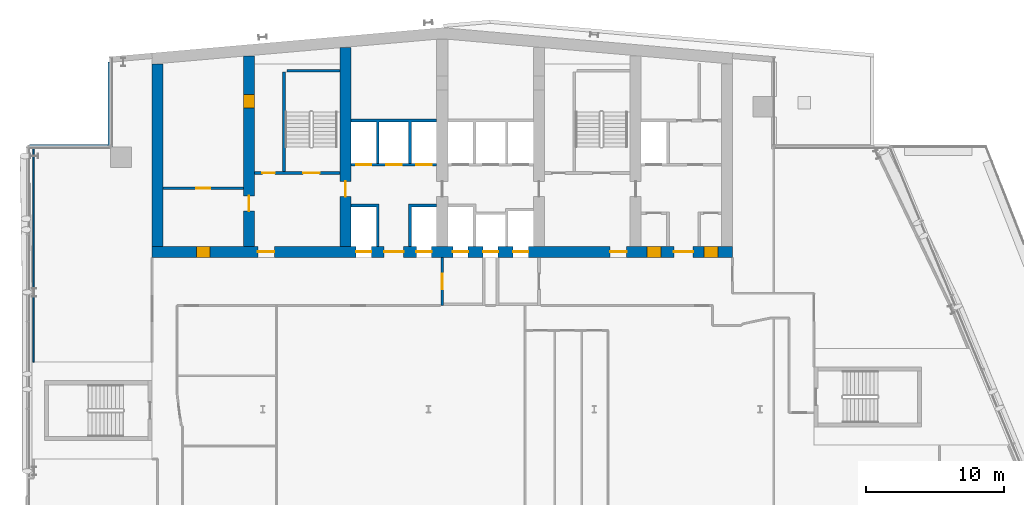
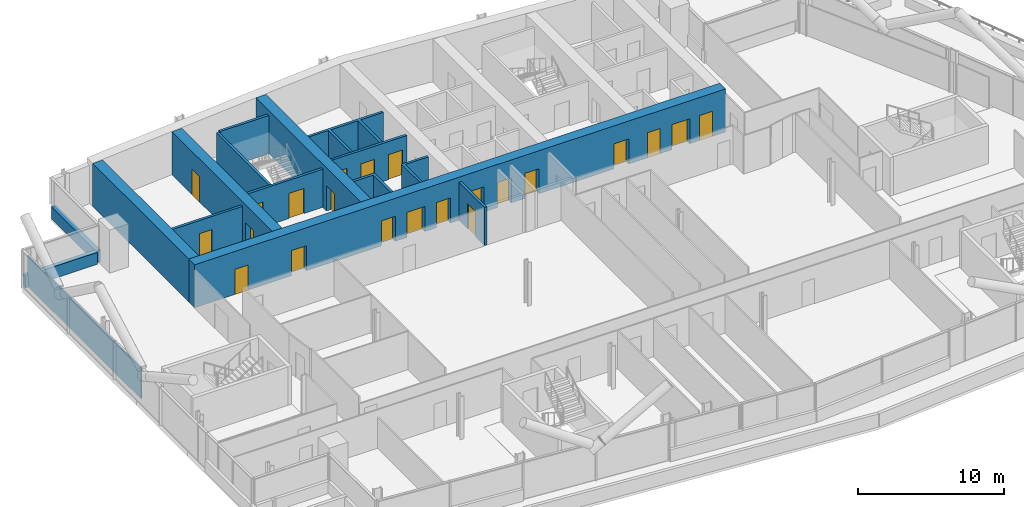
# One storey, part 20 of 30: 22 doors, 16 walls, 22 openings.
"""IFC4 building model written with IfcOpenShell, lengths in metres."""

from ifc_helpers import new_model, si_unit, direction, frame, frame_2d, origin, place, context, subcontext, project, spatial, polyline, rectangle, outline, extrude, material, layer, layer_set, type_object, element, fill, save


model = new_model("IFC4")

# Units and contexts
model_context = context("Model", 3, precision=1e-05, world=origin(), true_north=direction((0.0, 1.0)))
body_context = subcontext(model_context, "Body", "Model", "MODEL_VIEW")
ifc_project = project(units=[si_unit("LENGTHUNIT", "METRE"), si_unit("AREAUNIT", "SQUARE_METRE"), si_unit("VOLUMEUNIT", "CUBIC_METRE"), si_unit("PLANEANGLEUNIT", "RADIAN"), si_unit("MASSUNIT", "GRAM", prefix="KILO")], contexts=[model_context])

# Site, building, storey
site_placement = place(None, origin())
site = spatial("IfcSite", under=ifc_project, at=site_placement, CompositionType="ELEMENT")
building_placement = place(site_placement, origin())
building = spatial("IfcBuilding", under=site, at=building_placement, Name="Wharfspan Tower", CompositionType="ELEMENT")
storey_placement = place(building_placement, frame((0.0, 0.0, 151.899902)))
storey = spatial("IfcBuildingStorey", under=building, at=storey_placement, Name="L36", CompositionType="ELEMENT", Elevation=151.899902)

# Wall, opening, door
ifc_material_1 = material(Name="Calcium silicate masonry", Category="masonry")
ifc_layer_1 = layer(ifc_material_1, 0.199951)
ifc_layer_set_1 = layer_set([ifc_layer_1], Name="Calcium silicate masonry")
wall_type_1 = type_object("IfcWallType", Name="Core room wall 200", PredefinedType="PARTITIONING", material=ifc_layer_set_1)
wall_1_placement = place(storey_placement, frame((16.800049, 39.0, 0.0), z_axis=(0.0, 0.0, 1.0), x_axis=(1.0, 0.0, 0.0)))
wall_1 = element("IfcWall", 1, at=wall_1_placement, inside=storey, type_object=wall_type_1, Name="sw:L36:RM1", PredefinedType="PARTITIONING", context=body_context, shape_type="SweptSolid", body=[
    extrude(rectangle(XDim=5.800049, YDim=0.199951, at=frame_2d((2.899902, 0.0))), origin(), (0.0, 0.0, 1.0), 3.200195),
])
opening_1_placement = place(wall_1_placement, frame((2.399902, 0.0, 0.0)))
opening_1 = element("IfcOpeningElement", 2, at=opening_1_placement, cuts=wall_1, Name="Opening CD36.12", PredefinedType="OPENING", context=body_context, shape_type="SweptSolid", body=[
    extrude(rectangle(XDim=1.0, YDim=2.100098, at=frame_2d((0.5, 1.050049))), frame((0.0, 0.109863, 0.0), z_axis=(0.0, -1.0, 0.0), x_axis=(1.0, 0.0, 0.0)), (0.0, 0.0, 1.0), 0.219971),
])
ifc_material_2 = material(Name="Steel door leaf", Category="steel")
door_type_1 = type_object("IfcDoorType", Name="Core room door 1000x2100", OperationType="SINGLE_SWING_LEFT", PredefinedType="DOOR", material=ifc_material_2)
door_1_placement = place(opening_1_placement, origin())
door_1 = element("IfcDoor", 3, at=door_1_placement, inside=storey, type_object=door_type_1, Name="d:L36:1:rr", OperationType="SINGLE_SWING_RIGHT", OverallHeight=2.100098, OverallWidth=1.0, PredefinedType="DOOR", context=body_context, shape_type="SweptSolid", body=[
    extrude(rectangle(XDim=1.0, YDim=2.100098, at=frame_2d((0.5, 1.050049))), frame((0.0, 0.024902, 0.0), z_axis=(0.0, -1.0, 0.0), x_axis=(1.0, 0.0, 0.0)), (0.0, 0.0, 1.0), 0.050049),
])
fill(opening_1, door_1)

# Wall, openings, doors
ifc_material_3 = material(Name="Concrete C60/75", Category="concrete")
ifc_layer_2 = layer(ifc_material_3, 0.800049)
ifc_layer_set_2 = layer_set([ifc_layer_2], Name="Concrete C60/75")
wall_type_2 = type_object("IfcWallType", Name="Core wall 800 C60/75", PredefinedType="SHEAR", material=ifc_layer_set_2)
wall_2_placement = place(storey_placement, frame((16.0, 34.399902, 0.0), z_axis=(0.0, 0.0, 1.0), x_axis=(1.0, 0.0, 0.0)))
wall_2 = element("IfcWall", 4, at=wall_2_placement, inside=storey, type_object=wall_type_2, Name="Core front wall L36", PredefinedType="SHEAR", context=body_context, shape_type="SweptSolid", body=[
    extrude(rectangle(XDim=42.0, YDim=0.800049, at=frame_2d((21.0, 0.0))), origin(), (0.0, 0.0, 1.0), 3.600098),
])
opening_2_placement = place(wall_2_placement, frame((3.199951, 0.0, 0.0)))
opening_2 = element("IfcOpeningElement", 5, at=opening_2_placement, cuts=wall_2, Name="Opening CD36.11", PredefinedType="OPENING", context=body_context, shape_type="SweptSolid", body=[
    extrude(rectangle(XDim=1.0, YDim=2.100098, at=frame_2d((0.5, 1.050049))), frame((0.0, 0.409912, 0.0), z_axis=(0.0, -1.0, 0.0), x_axis=(1.0, 0.0, 0.0)), (0.0, 0.0, 1.0), 0.820068),
])
opening_3_placement = place(wall_2_placement, frame((7.649902, 0.0, 0.0)))
opening_3 = element("IfcOpeningElement", 6, at=opening_3_placement, cuts=wall_2, Name="Opening SV2.L36", PredefinedType="OPENING", context=body_context, shape_type="SweptSolid", body=[
    extrude(rectangle(XDim=1.199951, YDim=2.100098, at=frame_2d((0.600098, 1.050049))), frame((0.0, 0.409912, 0.0), z_axis=(0.0, -1.0, 0.0), x_axis=(1.0, 0.0, 0.0)), (0.0, 0.0, 1.0), 0.820068),
])
opening_4_placement = place(wall_2_placement, frame((14.766602, 0.0, 0.0)))
opening_4 = element("IfcOpeningElement", 7, at=opening_4_placement, cuts=wall_2, Name="Opening LD.SL1.L36", PredefinedType="OPENING", context=body_context, shape_type="SweptSolid", body=[
    extrude(rectangle(XDim=1.100098, YDim=2.100098, at=frame_2d((0.550049, 1.050049))), frame((0.0, 0.409912, 0.0), z_axis=(0.0, -1.0, 0.0), x_axis=(1.0, 0.0, 0.0)), (0.0, 0.0, 1.0), 0.820068),
])
opening_5_placement = place(wall_2_placement, frame((19.133301, 0.0, 0.0)))
opening_5 = element("IfcOpeningElement", 8, at=opening_5_placement, cuts=wall_2, Name="Opening LD.SL2.L36", PredefinedType="OPENING", context=body_context, shape_type="SweptSolid", body=[
    extrude(rectangle(XDim=1.100098, YDim=2.100098, at=frame_2d((0.550049, 1.050049))), frame((0.0, 0.409912, 0.0), z_axis=(0.0, -1.0, 0.0), x_axis=(1.0, 0.0, 0.0)), (0.0, 0.0, 1.0), 0.820068),
])
opening_6_placement = place(wall_2_placement, frame((16.800049, 0.0, 0.0)))
opening_6 = element("IfcOpeningElement", 9, at=opening_6_placement, cuts=wall_2, Name="Opening HD36.3", PredefinedType="OPENING", context=body_context, shape_type="SweptSolid", body=[
    extrude(rectangle(XDim=1.399902, YDim=2.100098, at=frame_2d((0.699951, 1.050049))), frame((0.0, 0.409912, 0.0), z_axis=(0.0, -1.0, 0.0), x_axis=(1.0, 0.0, 0.0)), (0.0, 0.0, 1.0), 0.820068),
])
opening_7_placement = place(wall_2_placement, frame((21.766602, 0.0, 0.0)))
opening_7 = element("IfcOpeningElement", 10, at=opening_7_placement, cuts=wall_2, Name="Opening LD.FF1.L36", PredefinedType="OPENING", context=body_context, shape_type="SweptSolid", body=[
    extrude(rectangle(XDim=1.100098, YDim=2.100098, at=frame_2d((0.550049, 1.050049))), frame((0.0, 0.409912, 0.0), z_axis=(0.0, -1.0, 0.0), x_axis=(1.0, 0.0, 0.0)), (0.0, 0.0, 1.0), 0.820068),
])
opening_8_placement = place(wall_2_placement, frame((23.949951, 0.0, 0.0)))
opening_8 = element("IfcOpeningElement", 11, at=opening_8_placement, cuts=wall_2, Name="Opening LD.LB7.L36", PredefinedType="OPENING", context=body_context, shape_type="SweptSolid", body=[
    extrude(rectangle(XDim=1.100098, YDim=2.100098, at=frame_2d((0.550049, 1.050049))), frame((0.0, 0.409912, 0.0), z_axis=(0.0, -1.0, 0.0), x_axis=(1.0, 0.0, 0.0)), (0.0, 0.0, 1.0), 0.820068),
])
opening_9_placement = place(wall_2_placement, frame((26.133301, 0.0, 0.0)))
opening_9 = element("IfcOpeningElement", 12, at=opening_9_placement, cuts=wall_2, Name="Opening LD.FF2.L36", PredefinedType="OPENING", context=body_context, shape_type="SweptSolid", body=[
    extrude(rectangle(XDim=1.100098, YDim=2.100098, at=frame_2d((0.550049, 1.050049))), frame((0.0, 0.409912, 0.0), z_axis=(0.0, -1.0, 0.0), x_axis=(1.0, 0.0, 0.0)), (0.0, 0.0, 1.0), 0.820068),
])
opening_10_placement = place(wall_2_placement, frame((33.149902, 0.0, 0.0)))
opening_10 = element("IfcOpeningElement", 13, at=opening_10_placement, cuts=wall_2, Name="Opening SV5.L36", PredefinedType="OPENING", context=body_context, shape_type="SweptSolid", body=[
    extrude(rectangle(XDim=1.199951, YDim=2.100098, at=frame_2d((0.600098, 1.050049))), frame((0.0, 0.409912, 0.0), z_axis=(0.0, -1.0, 0.0), x_axis=(1.0, 0.0, 0.0)), (0.0, 0.0, 1.0), 0.820068),
])
opening_11_placement = place(wall_2_placement, frame((35.81665, 0.0, 0.0)))
opening_11 = element("IfcOpeningElement", 14, at=opening_11_placement, cuts=wall_2, Name="Opening CD36.6F1", PredefinedType="OPENING", context=body_context, shape_type="SweptSolid", body=[
    extrude(rectangle(XDim=1.0, YDim=2.100098, at=frame_2d((0.5, 1.050049))), frame((0.0, 0.409912, 0.0), z_axis=(0.0, -1.0, 0.0), x_axis=(1.0, 0.0, 0.0)), (0.0, 0.0, 1.0), 0.820068),
])
opening_12_placement = place(wall_2_placement, frame((39.949951, 0.0, 0.0)))
opening_12 = element("IfcOpeningElement", 15, at=opening_12_placement, cuts=wall_2, Name="Opening CD36.6F3", PredefinedType="OPENING", context=body_context, shape_type="SweptSolid", body=[
    extrude(rectangle(XDim=1.0, YDim=2.100098, at=frame_2d((0.5, 1.050049))), frame((0.0, 0.409912, 0.0), z_axis=(0.0, -1.0, 0.0), x_axis=(1.0, 0.0, 0.0)), (0.0, 0.0, 1.0), 0.820068),
])
opening_13_placement = place(wall_2_placement, frame((37.766602, 0.0, 0.0)))
opening_13 = element("IfcOpeningElement", 16, at=opening_13_placement, cuts=wall_2, Name="Opening HD36.6", PredefinedType="OPENING", context=body_context, shape_type="SweptSolid", body=[
    extrude(rectangle(XDim=1.399902, YDim=2.100098, at=frame_2d((0.699951, 1.050049))), frame((0.0, 0.409912, 0.0), z_axis=(0.0, -1.0, 0.0), x_axis=(1.0, 0.0, 0.0)), (0.0, 0.0, 1.0), 0.820068),
])
door_2_placement = place(opening_2_placement, origin())
door_2 = element("IfcDoor", 17, at=door_2_placement, inside=storey, type_object=door_type_1, Name="d:L36:1:rf", OperationType="SINGLE_SWING_LEFT", OverallHeight=2.100098, OverallWidth=1.0, PredefinedType="DOOR", context=body_context, shape_type="SweptSolid", body=[
    extrude(rectangle(XDim=1.0, YDim=2.100098, at=frame_2d((0.5, 1.050049))), frame((0.0, 0.399902, 0.0), z_axis=(0.0, -1.0, 0.0), x_axis=(1.0, 0.0, 0.0)), (0.0, 0.0, 1.0), 0.799561),
])
fill(opening_2, door_2)
door_3_placement = place(opening_11_placement, origin())
door_3 = element("IfcDoor", 18, at=door_3_placement, inside=storey, type_object=door_type_1, Name="d:L36:6:fd6.1", OperationType="SINGLE_SWING_LEFT", OverallHeight=2.100098, OverallWidth=1.0, PredefinedType="DOOR", context=body_context, shape_type="SweptSolid", body=[
    extrude(rectangle(XDim=1.0, YDim=2.100098, at=frame_2d((0.5, 1.050049))), frame((0.0, 0.399902, 0.0), z_axis=(0.0, -1.0, 0.0), x_axis=(1.0, 0.0, 0.0)), (0.0, 0.0, 1.0), 0.799561),
])
fill(opening_11, door_3)
door_4_placement = place(opening_12_placement, origin())
door_4 = element("IfcDoor", 19, at=door_4_placement, inside=storey, type_object=door_type_1, Name="d:L36:6:fd6.3", OperationType="SINGLE_SWING_LEFT", OverallHeight=2.100098, OverallWidth=1.0, PredefinedType="DOOR", context=body_context, shape_type="SweptSolid", body=[
    extrude(rectangle(XDim=1.0, YDim=2.100098, at=frame_2d((0.5, 1.050049))), frame((0.0, 0.399902, 0.0), z_axis=(0.0, -1.0, 0.0), x_axis=(1.0, 0.0, 0.0)), (0.0, 0.0, 1.0), 0.799561),
])
fill(opening_12, door_4)
door_type_2 = type_object("IfcDoorType", Name="Hall entry door 1400x2100", OperationType="DOUBLE_DOOR_SINGLE_SWING", PredefinedType="DOOR", material=ifc_material_2)
door_5_placement = place(opening_6_placement, origin())
door_5 = element("IfcDoor", 20, at=door_5_placement, inside=storey, type_object=door_type_2, Name="d:L36:3:hd3", OperationType="DOUBLE_DOOR_SINGLE_SWING", OverallHeight=2.100098, OverallWidth=1.399902, PredefinedType="DOOR", context=body_context, shape_type="SweptSolid", body=[
    extrude(rectangle(XDim=1.399902, YDim=2.100098, at=frame_2d((0.699951, 1.050049))), frame((0.0, 0.024902, 0.0), z_axis=(0.0, -1.0, 0.0), x_axis=(1.0, 0.0, 0.0)), (0.0, 0.0, 1.0), 0.050049),
])
fill(opening_6, door_5)
door_6_placement = place(opening_13_placement, origin())
door_6 = element("IfcDoor", 21, at=door_6_placement, inside=storey, type_object=door_type_2, Name="d:L36:6:hd6", OperationType="DOUBLE_DOOR_SINGLE_SWING", OverallHeight=2.100098, OverallWidth=1.399902, PredefinedType="DOOR", context=body_context, shape_type="SweptSolid", body=[
    extrude(rectangle(XDim=1.399902, YDim=2.100098, at=frame_2d((0.699951, 1.050049))), frame((0.0, 0.024902, 0.0), z_axis=(0.0, -1.0, 0.0), x_axis=(1.0, 0.0, 0.0)), (0.0, 0.0, 1.0), 0.050049),
])
fill(opening_13, door_6)
ifc_material_4 = material(Name="Stainless steel", Category="steel")
door_type_3 = type_object("IfcDoorType", Name="Lift landing door 1100x2100", OperationType="DOUBLE_DOOR_SLIDING", PredefinedType="DOOR", material=ifc_material_4)
door_7_placement = place(opening_4_placement, origin())
door_7 = element("IfcDoor", 22, at=door_7_placement, inside=storey, type_object=door_type_3, Name="Landing door SL1 L36", OperationType="DOUBLE_DOOR_SLIDING", OverallHeight=2.100098, OverallWidth=1.100098, PredefinedType="DOOR", context=body_context, shape_type="SweptSolid", body=[
    extrude(rectangle(XDim=1.100098, YDim=2.100098, at=frame_2d((0.550049, 1.050049))), frame((0.0, 0.024902, 0.0), z_axis=(0.0, -1.0, 0.0), x_axis=(1.0, 0.0, 0.0)), (0.0, 0.0, 1.0), 0.050049),
])
fill(opening_4, door_7)
door_8_placement = place(opening_5_placement, origin())
door_8 = element("IfcDoor", 23, at=door_8_placement, inside=storey, type_object=door_type_3, Name="Landing door SL2 L36", OperationType="DOUBLE_DOOR_SLIDING", OverallHeight=2.100098, OverallWidth=1.100098, PredefinedType="DOOR", context=body_context, shape_type="SweptSolid", body=[
    extrude(rectangle(XDim=1.100098, YDim=2.100098, at=frame_2d((0.550049, 1.050049))), frame((0.0, 0.024902, 0.0), z_axis=(0.0, -1.0, 0.0), x_axis=(1.0, 0.0, 0.0)), (0.0, 0.0, 1.0), 0.050049),
])
fill(opening_5, door_8)
door_9_placement = place(opening_7_placement, origin())
door_9 = element("IfcDoor", 24, at=door_9_placement, inside=storey, type_object=door_type_3, Name="Landing door FF1 L36", OperationType="DOUBLE_DOOR_SLIDING", OverallHeight=2.100098, OverallWidth=1.100098, PredefinedType="DOOR", context=body_context, shape_type="SweptSolid", body=[
    extrude(rectangle(XDim=1.100098, YDim=2.100098, at=frame_2d((0.550049, 1.050049))), frame((0.0, 0.024902, 0.0), z_axis=(0.0, -1.0, 0.0), x_axis=(1.0, 0.0, 0.0)), (0.0, 0.0, 1.0), 0.050049),
])
fill(opening_7, door_9)
door_10_placement = place(opening_8_placement, origin())
door_10 = element("IfcDoor", 25, at=door_10_placement, inside=storey, type_object=door_type_3, Name="Landing door LB7 L36", OperationType="DOUBLE_DOOR_SLIDING", OverallHeight=2.100098, OverallWidth=1.100098, PredefinedType="DOOR", context=body_context, shape_type="SweptSolid", body=[
    extrude(rectangle(XDim=1.100098, YDim=2.100098, at=frame_2d((0.550049, 1.050049))), frame((0.0, 0.024902, 0.0), z_axis=(0.0, -1.0, 0.0), x_axis=(1.0, 0.0, 0.0)), (0.0, 0.0, 1.0), 0.050049),
])
fill(opening_8, door_10)
door_11_placement = place(opening_9_placement, origin())
door_11 = element("IfcDoor", 26, at=door_11_placement, inside=storey, type_object=door_type_3, Name="Landing door FF2 L36", OperationType="DOUBLE_DOOR_SLIDING", OverallHeight=2.100098, OverallWidth=1.100098, PredefinedType="DOOR", context=body_context, shape_type="SweptSolid", body=[
    extrude(rectangle(XDim=1.100098, YDim=2.100098, at=frame_2d((0.550049, 1.050049))), frame((0.0, 0.024902, 0.0), z_axis=(0.0, -1.0, 0.0), x_axis=(1.0, 0.0, 0.0)), (0.0, 0.0, 1.0), 0.050049),
])
fill(opening_9, door_11)
door_type_4 = type_object("IfcDoorType", Name="Stair door 1200x2100", OperationType="SINGLE_SWING_LEFT", PredefinedType="DOOR", material=ifc_material_2)
door_12_placement = place(opening_3_placement, origin())
door_12 = element("IfcDoor", 27, at=door_12_placement, inside=storey, type_object=door_type_4, Name="vd:L36:2", OperationType="SINGLE_SWING_LEFT", OverallHeight=2.100098, OverallWidth=1.199951, PredefinedType="DOOR", context=body_context, shape_type="SweptSolid", body=[
    extrude(rectangle(XDim=1.199951, YDim=2.100098, at=frame_2d((0.600098, 1.050049))), frame((0.0, 0.024902, 0.0), z_axis=(0.0, -1.0, 0.0), x_axis=(1.0, 0.0, 0.0)), (0.0, 0.0, 1.0), 0.050049),
])
fill(opening_3, door_12)
door_13_placement = place(opening_10_placement, origin())
door_13 = element("IfcDoor", 28, at=door_13_placement, inside=storey, type_object=door_type_4, Name="vd:L36:5", OperationType="SINGLE_SWING_LEFT", OverallHeight=2.100098, OverallWidth=1.199951, PredefinedType="DOOR", context=body_context, shape_type="SweptSolid", body=[
    extrude(rectangle(XDim=1.199951, YDim=2.100098, at=frame_2d((0.600098, 1.050049))), frame((0.0, 0.024902, 0.0), z_axis=(0.0, -1.0, 0.0), x_axis=(1.0, 0.0, 0.0)), (0.0, 0.0, 1.0), 0.050049),
])
fill(opening_10, door_13)

# Wall
wall_3_placement = place(storey_placement, frame((16.399902, 34.800049, 0.0), z_axis=(0.0, 0.0, 1.0), x_axis=(0.0, 1.0, 0.0)))
element("IfcWall", 29, at=wall_3_placement, inside=storey, type_object=wall_type_2, Name="Core cross wall EW0 L36", PredefinedType="SHEAR", context=body_context, shape_type="SweptSolid", body=[
    extrude(rectangle(XDim=13.184326, YDim=0.800049, at=frame_2d((6.592285, 0.0))), origin(), (0.0, 0.0, 1.0), 3.600098),
])

# Wall, openings, doors
wall_4_placement = place(storey_placement, frame((23.0, 34.800049, 0.0), z_axis=(0.0, 0.0, 1.0), x_axis=(0.0, 1.0, 0.0)))
wall_4 = element("IfcWall", 30, at=wall_4_placement, inside=storey, type_object=wall_type_2, Name="Core cross wall X2 L36", PredefinedType="SHEAR", context=body_context, shape_type="SweptSolid", body=[
    extrude(rectangle(XDim=13.761719, YDim=0.800049, at=frame_2d((6.880859, 0.0))), origin(), (0.0, 0.0, 1.0), 3.600098),
])
opening_14_placement = place(wall_4_placement, frame((2.550049, 0.0, 0.0)))
opening_14 = element("IfcOpeningElement", 31, at=opening_14_placement, cuts=wall_4, Name="Opening CC36.2", PredefinedType="OPENING", context=body_context, shape_type="SweptSolid", body=[
    extrude(rectangle(XDim=1.100098, YDim=2.100098, at=frame_2d((0.550049, 1.050049))), frame((0.0, 0.409912, 0.0), z_axis=(0.0, -1.0, 0.0), x_axis=(1.0, 0.0, 0.0)), (0.0, 0.0, 1.0), 0.820068),
])
opening_15_placement = place(wall_4_placement, frame((10.0, 0.0, 0.0)))
opening_15 = element("IfcOpeningElement", 32, at=opening_15_placement, cuts=wall_4, Name="Opening CR36.2", PredefinedType="OPENING", context=body_context, shape_type="SweptSolid", body=[
    extrude(rectangle(XDim=1.0, YDim=2.100098, at=frame_2d((0.5, 1.050049))), frame((0.0, 0.409912, 0.0), z_axis=(0.0, -1.0, 0.0), x_axis=(1.0, 0.0, 0.0)), (0.0, 0.0, 1.0), 0.820068),
])
door_type_5 = type_object("IfcDoorType", Name="Core corridor door 1100x2100", OperationType="SINGLE_SWING_LEFT", PredefinedType="DOOR", material=ifc_material_2)
door_14_placement = place(opening_14_placement, origin())
door_14 = element("IfcDoor", 33, at=door_14_placement, inside=storey, type_object=door_type_5, Name="xd:L36:2", OperationType="SINGLE_SWING_RIGHT", OverallHeight=2.100098, OverallWidth=1.100098, PredefinedType="DOOR", context=body_context, shape_type="SweptSolid", body=[
    extrude(rectangle(XDim=1.100098, YDim=2.100098, at=frame_2d((0.550049, 1.050049))), frame((0.0, 0.024902, 0.0), z_axis=(0.0, -1.0, 0.0), x_axis=(1.0, 0.0, 0.0)), (0.0, 0.0, 1.0), 0.050049),
])
fill(opening_14, door_14)
door_15_placement = place(opening_15_placement, origin())
door_15 = element("IfcDoor", 34, at=door_15_placement, inside=storey, type_object=door_type_1, Name="xr:L36:2", OperationType="SINGLE_SWING_RIGHT", OverallHeight=2.100098, OverallWidth=1.0, PredefinedType="DOOR", context=body_context, shape_type="SweptSolid", body=[
    extrude(rectangle(XDim=1.0, YDim=2.100098, at=frame_2d((0.5, 1.050049))), frame((0.0, 0.399902, 0.0), z_axis=(0.0, -1.0, 0.0), x_axis=(1.0, 0.0, 0.0)), (0.0, 0.0, 1.0), 0.799561),
])
fill(opening_15, door_15)

# Wall, opening, door
wall_5_placement = place(storey_placement, frame((30.0, 34.800049, 0.0), z_axis=(0.0, 0.0, 1.0), x_axis=(0.0, 1.0, 0.0)))
wall_5 = element("IfcWall", 35, at=wall_5_placement, inside=storey, type_object=wall_type_2, Name="Core cross wall X3 L36", PredefinedType="SHEAR", context=body_context, shape_type="SweptSolid", body=[
    extrude(rectangle(XDim=14.374023, YDim=0.800049, at=frame_2d((7.187012, 0.0))), origin(), (0.0, 0.0, 1.0), 3.600098),
])
opening_16_placement = place(wall_5_placement, frame((3.600098, 0.0, 0.0)))
opening_16 = element("IfcOpeningElement", 36, at=opening_16_placement, cuts=wall_5, Name="Opening CC36.3", PredefinedType="OPENING", context=body_context, shape_type="SweptSolid", body=[
    extrude(rectangle(XDim=1.100098, YDim=2.100098, at=frame_2d((0.550049, 1.050049))), frame((0.0, 0.409912, 0.0), z_axis=(0.0, -1.0, 0.0), x_axis=(1.0, 0.0, 0.0)), (0.0, 0.0, 1.0), 0.820068),
])
door_16_placement = place(opening_16_placement, origin())
door_16 = element("IfcDoor", 37, at=door_16_placement, inside=storey, type_object=door_type_5, Name="xd:L36:3", OperationType="SINGLE_SWING_LEFT", OverallHeight=2.100098, OverallWidth=1.100098, PredefinedType="DOOR", context=body_context, shape_type="SweptSolid", body=[
    extrude(rectangle(XDim=1.100098, YDim=2.100098, at=frame_2d((0.550049, 1.050049))), frame((0.0, 0.024902, 0.0), z_axis=(0.0, -1.0, 0.0), x_axis=(1.0, 0.0, 0.0)), (0.0, 0.0, 1.0), 0.050049),
])
fill(opening_16, door_16)

# Wall, openings, doors
ifc_material_5 = material(Name="Concrete C30/37", Category="concrete")
ifc_layer_3 = layer(ifc_material_5, 0.199951)
ifc_layer_set_3 = layer_set([ifc_layer_3], Name="Concrete C30/37")
wall_type_3 = type_object("IfcWallType", Name="Lift shaft wall 200", PredefinedType="PARTITIONING", material=ifc_layer_set_3)
wall_6_placement = place(storey_placement, frame((30.399902, 40.699951, 0.0), z_axis=(0.0, 0.0, 1.0), x_axis=(1.0, 0.0, 0.0)))
wall_6 = element("IfcWall", 38, at=wall_6_placement, inside=storey, type_object=wall_type_3, Name="sw:L36:RF3", PredefinedType="PARTITIONING", context=body_context, shape_type="SweptSolid", body=[
    extrude(rectangle(XDim=6.200195, YDim=0.199951, at=frame_2d((3.100098, 0.0))), origin(), (0.0, 0.0, 1.0), 3.200195),
])
opening_17_placement = place(wall_6_placement, frame((0.366699, 0.0, 0.0)))
opening_17 = element("IfcOpeningElement", 39, at=opening_17_placement, cuts=wall_6, Name="Opening LD.LB1.L36", PredefinedType="OPENING", context=body_context, shape_type="SweptSolid", body=[
    extrude(rectangle(XDim=1.100098, YDim=2.100098, at=frame_2d((0.550049, 1.050049))), frame((0.0, 0.109863, 0.0), z_axis=(0.0, -1.0, 0.0), x_axis=(1.0, 0.0, 0.0)), (0.0, 0.0, 1.0), 0.219971),
])
opening_18_placement = place(wall_6_placement, frame((2.550049, 0.0, 0.0)))
opening_18 = element("IfcOpeningElement", 40, at=opening_18_placement, cuts=wall_6, Name="Opening LD.LB2.L36", PredefinedType="OPENING", context=body_context, shape_type="SweptSolid", body=[
    extrude(rectangle(XDim=1.100098, YDim=2.100098, at=frame_2d((0.550049, 1.050049))), frame((0.0, 0.109863, 0.0), z_axis=(0.0, -1.0, 0.0), x_axis=(1.0, 0.0, 0.0)), (0.0, 0.0, 1.0), 0.219971),
])
opening_19_placement = place(wall_6_placement, frame((4.733398, 0.0, 0.0)))
opening_19 = element("IfcOpeningElement", 41, at=opening_19_placement, cuts=wall_6, Name="Opening LD.LB3.L36", PredefinedType="OPENING", context=body_context, shape_type="SweptSolid", body=[
    extrude(rectangle(XDim=1.100098, YDim=2.100098, at=frame_2d((0.550049, 1.050049))), frame((0.0, 0.109863, 0.0), z_axis=(0.0, -1.0, 0.0), x_axis=(1.0, 0.0, 0.0)), (0.0, 0.0, 1.0), 0.219971),
])
door_17_placement = place(opening_17_placement, origin())
door_17 = element("IfcDoor", 42, at=door_17_placement, inside=storey, type_object=door_type_3, Name="Landing door LB1 L36", OperationType="DOUBLE_DOOR_SLIDING", OverallHeight=2.100098, OverallWidth=1.100098, PredefinedType="DOOR", context=body_context, shape_type="SweptSolid", body=[
    extrude(rectangle(XDim=1.100098, YDim=2.100098, at=frame_2d((0.550049, 1.050049))), frame((0.0, 0.024902, 0.0), z_axis=(0.0, -1.0, 0.0), x_axis=(1.0, 0.0, 0.0)), (0.0, 0.0, 1.0), 0.050049),
])
fill(opening_17, door_17)
door_18_placement = place(opening_18_placement, origin())
door_18 = element("IfcDoor", 43, at=door_18_placement, inside=storey, type_object=door_type_3, Name="Landing door LB2 L36", OperationType="DOUBLE_DOOR_SLIDING", OverallHeight=2.100098, OverallWidth=1.100098, PredefinedType="DOOR", context=body_context, shape_type="SweptSolid", body=[
    extrude(rectangle(XDim=1.100098, YDim=2.100098, at=frame_2d((0.550049, 1.050049))), frame((0.0, 0.024902, 0.0), z_axis=(0.0, -1.0, 0.0), x_axis=(1.0, 0.0, 0.0)), (0.0, 0.0, 1.0), 0.050049),
])
fill(opening_18, door_18)
door_19_placement = place(opening_19_placement, origin())
door_19 = element("IfcDoor", 44, at=door_19_placement, inside=storey, type_object=door_type_3, Name="Landing door LB3 L36", OperationType="DOUBLE_DOOR_SLIDING", OverallHeight=2.100098, OverallWidth=1.100098, PredefinedType="DOOR", context=body_context, shape_type="SweptSolid", body=[
    extrude(rectangle(XDim=1.100098, YDim=2.100098, at=frame_2d((0.550049, 1.050049))), frame((0.0, 0.024902, 0.0), z_axis=(0.0, -1.0, 0.0), x_axis=(1.0, 0.0, 0.0)), (0.0, 0.0, 1.0), 0.050049),
])
fill(opening_19, door_19)

# Walls
wall_7_placement = place(storey_placement, origin())
element("IfcWall", 45, at=wall_7_placement, inside=storey, type_object=wall_type_3, Name="sw:L36:FM3.0", PredefinedType="PARTITIONING", context=body_context, shape_type="SweptSolid", body=[
    extrude(outline(polyline([(32.233398, 37.649902), (30.399902, 37.649902), (30.399902, 37.850098), (32.233398, 37.850098), (32.43335, 37.850098), (32.43335, 34.800049), (32.233398, 34.800049), (32.233398, 37.649902)])), origin(), (0.0, 0.0, 1.0), 3.200195),
])
wall_8_placement = place(storey_placement, origin())
element("IfcWall", 46, at=wall_8_placement, inside=storey, type_object=wall_type_3, Name="sw:L36:FM3.1", PredefinedType="PARTITIONING", context=body_context, shape_type="SweptSolid", body=[
    extrude(outline(polyline([(34.56665, 37.850098), (34.766602, 37.850098), (36.600098, 37.850098), (36.600098, 37.649902), (34.766602, 37.649902), (34.766602, 34.800049), (34.56665, 34.800049), (34.56665, 37.850098)])), origin(), (0.0, 0.0, 1.0), 3.200195),
])
wall_9_placement = place(storey_placement, origin())
element("IfcWall", 47, at=wall_9_placement, inside=storey, type_object=wall_type_3, Name="sw:L36:RM3.0", PredefinedType="PARTITIONING", context=body_context, shape_type="SweptSolid", body=[
    extrude(outline(polyline([(32.43335, 40.800049), (32.233398, 40.800049), (32.233398, 43.800049), (30.399902, 43.800049), (30.399902, 44.0), (36.600098, 44.0), (36.600098, 43.800049), (34.766602, 43.800049), (34.766602, 40.800049), (34.56665, 40.800049), (34.56665, 43.800049), (32.43335, 43.800049), (32.43335, 40.800049)])), origin(), (0.0, 0.0, 1.0), 3.200195),
])

# Wall, opening, door
ifc_layer_4 = layer(ifc_material_5, 0.199951)
ifc_layer_set_4 = layer_set([ifc_layer_4], Name="Concrete C30/37")
wall_type_4 = type_object("IfcWallType", Name="Lobby wall 200", PredefinedType="PARTITIONING", material=ifc_layer_set_4)
wall_10_placement = place(storey_placement, frame((37.0, 30.5, 0.0), z_axis=(0.0, 0.0, 1.0), x_axis=(0.0, 1.0, 0.0)))
wall_10 = element("IfcWall", 48, at=wall_10_placement, inside=storey, type_object=wall_type_4, Name="sw:L36:FLFF1W", PredefinedType="PARTITIONING", context=body_context, shape_type="SweptSolid", body=[
    extrude(rectangle(XDim=3.5, YDim=0.199951, at=frame_2d((1.75, 0.0))), origin(), (0.0, 0.0, 1.0), 3.200195),
])
opening_20_placement = place(wall_10_placement, frame((1.199951, 0.0, 0.0)))
opening_20 = element("IfcOpeningElement", 49, at=opening_20_placement, cuts=wall_10, Name="Opening FL.FF1.L36", PredefinedType="OPENING", context=body_context, shape_type="SweptSolid", body=[
    extrude(rectangle(XDim=1.100098, YDim=2.100098, at=frame_2d((0.550049, 1.050049))), frame((0.0, 0.109863, 0.0), z_axis=(0.0, -1.0, 0.0), x_axis=(1.0, 0.0, 0.0)), (0.0, 0.0, 1.0), 0.219971),
])
door_type_6 = type_object("IfcDoorType", Name="Firefighting lobby door 1100x2100", OperationType="SINGLE_SWING_LEFT", PredefinedType="DOOR", material=ifc_material_2)
door_20_placement = place(opening_20_placement, origin())
door_20 = element("IfcDoor", 50, at=door_20_placement, inside=storey, type_object=door_type_6, Name="fd:L36:FF1", OperationType="SINGLE_SWING_LEFT", OverallHeight=2.100098, OverallWidth=1.100098, PredefinedType="DOOR", context=body_context, shape_type="SweptSolid", body=[
    extrude(rectangle(XDim=1.100098, YDim=2.100098, at=frame_2d((0.550049, 1.050049))), frame((0.0, 0.024902, 0.0), z_axis=(0.0, -1.0, 0.0), x_axis=(1.0, 0.0, 0.0)), (0.0, 0.0, 1.0), 0.050049),
])
fill(opening_20, door_20)

# Walls
ifc_material_6 = material(Name="Gypsum board on steel studs", Category="steel")
ifc_layer_5 = layer(ifc_material_6, 0.100098)
ifc_layer_set_5 = layer_set([ifc_layer_5], Name="Gypsum board on steel studs")
wall_type_5 = type_object("IfcWallType", Name="Partition 100", PredefinedType="PARTITIONING", material=ifc_layer_set_5)
wall_11_placement = place(storey_placement, frame((7.419922, 26.419922, 0.0), z_axis=(0.0, 0.0, 1.0), x_axis=(0.0, 1.0, 0.0)))
element("IfcWall", 51, at=wall_11_placement, inside=storey, type_object=wall_type_5, Name="Partition L36.w005", PredefinedType="PARTITIONING", context=body_context, shape_type="SweptSolid", body=[
    extrude(rectangle(XDim=15.560059, YDim=0.100098, at=frame_2d((7.780029, 0.0))), origin(), (0.0, 0.0, 1.0), 2.580078),
])
ifc_material_7 = material(Name="Concrete C40/50", Category="concrete")
ifc_layer_6 = layer(ifc_material_7, 0.350098)
ifc_layer_set_6 = layer_set([ifc_layer_6], Name="Concrete C40/50")
wall_type_6 = type_object("IfcWallType", Name="SPANDREL EXPOSED CONCRETE 350", PredefinedType="SOLIDWALL", material=ifc_layer_set_6)
wall_12_placement = place(storey_placement, frame((12.995117, 48.126465, 0.0), z_axis=(0.0, 0.0, 1.0), x_axis=(0.0, -1.0, 0.0)))
element("IfcWall", 52, at=wall_12_placement, inside=storey, type_object=wall_type_6, Name="Spandrel upstand L36 NRW-V", PredefinedType="SOLIDWALL", context=body_context, shape_type="SweptSolid", body=[
    extrude(rectangle(XDim=6.126465, YDim=0.350098, at=frame_2d((3.063232, 0.0))), origin(), (0.0, 0.0, 1.0), 1.0),
])
wall_13_placement = place(storey_placement, frame((12.820068, 42.004883, 0.0), z_axis=(0.0, 0.0, 1.0), x_axis=(-1.0, 0.0, 0.0)))
element("IfcWall", 53, at=wall_13_placement, inside=storey, type_object=wall_type_6, Name="Spandrel upstand L36 NRW-H", PredefinedType="SOLIDWALL", context=body_context, shape_type="SweptSolid", body=[
    extrude(rectangle(XDim=5.699951, YDim=0.350098, at=frame_2d((2.850098, 0.0))), origin(), (0.0, 0.0, 1.0), 1.0),
])

# Wall, openings, doors
ifc_layer_7 = layer(ifc_material_7, 0.199951)
ifc_layer_set_7 = layer_set([ifc_layer_7], Name="Concrete C40/50")
wall_type_7 = type_object("IfcWallType", Name="Stair shaft wall 200", PredefinedType="SHEAR", material=ifc_layer_set_7)
wall_14_placement = place(storey_placement, frame((23.399902, 40.100098, 0.0), z_axis=(0.0, 0.0, 1.0), x_axis=(1.0, 0.0, 0.0)))
wall_14 = element("IfcWall", 54, at=wall_14_placement, inside=storey, type_object=wall_type_7, Name="ST1 stair enclosure wall L36", PredefinedType="SHEAR", context=body_context, shape_type="SweptSolid", body=[
    extrude(rectangle(XDim=6.200195, YDim=0.199951, at=frame_2d((3.100098, 0.0))), origin(), (0.0, 0.0, 1.0), 3.200195),
])
opening_21_placement = place(wall_14_placement, frame((3.524902, 0.0, 0.0)))
opening_21 = element("IfcOpeningElement", 55, at=opening_21_placement, cuts=wall_14, Name="Opening SD2.L36", PredefinedType="OPENING", context=body_context, shape_type="SweptSolid", body=[
    extrude(rectangle(XDim=1.199951, YDim=2.100098, at=frame_2d((0.600098, 1.050049))), frame((0.0, 0.109863, 0.0), z_axis=(0.0, -1.0, 0.0), x_axis=(1.0, 0.0, 0.0)), (0.0, 0.0, 1.0), 0.219971),
])
opening_22_placement = place(wall_14_placement, frame((0.574951, 0.0, 0.0)))
opening_22 = element("IfcOpeningElement", 56, at=opening_22_placement, cuts=wall_14, Name="Opening CD36.2R", PredefinedType="OPENING", context=body_context, shape_type="SweptSolid", body=[
    extrude(rectangle(XDim=0.899902, YDim=2.100098, at=frame_2d((0.449951, 1.050049))), frame((0.0, 0.109863, 0.0), z_axis=(0.0, -1.0, 0.0), x_axis=(1.0, 0.0, 0.0)), (0.0, 0.0, 1.0), 0.219971),
])
door_21_placement = place(opening_22_placement, origin())
door_21 = element("IfcDoor", 57, at=door_21_placement, inside=storey, type_object=door_type_1, Name="rk:L36:2", OperationType="SINGLE_SWING_LEFT", OverallHeight=2.100098, OverallWidth=0.899902, PredefinedType="DOOR", context=body_context, shape_type="SweptSolid", body=[
    extrude(rectangle(XDim=0.899902, YDim=2.100098, at=frame_2d((0.449951, 1.050049))), frame((0.0, 0.024902, 0.0), z_axis=(0.0, -1.0, 0.0), x_axis=(1.0, 0.0, 0.0)), (0.0, 0.0, 1.0), 0.050049),
])
fill(opening_22, door_21)
door_22_placement = place(opening_21_placement, origin())
door_22 = element("IfcDoor", 58, at=door_22_placement, inside=storey, type_object=door_type_4, Name="sd:L36:2", OperationType="SINGLE_SWING_RIGHT", OverallHeight=2.100098, OverallWidth=1.199951, PredefinedType="DOOR", context=body_context, shape_type="SweptSolid", body=[
    extrude(rectangle(XDim=1.199951, YDim=2.100098, at=frame_2d((0.600098, 1.050049))), frame((0.0, 0.024902, 0.0), z_axis=(0.0, -1.0, 0.0), x_axis=(1.0, 0.0, 0.0)), (0.0, 0.0, 1.0), 0.050049),
])
fill(opening_21, door_22)

# Walls
wall_15_placement = place(storey_placement, frame((25.550049, 40.199951, 0.0), z_axis=(0.0, 0.0, 1.0), x_axis=(0.0, 1.0, 0.0)))
element("IfcWall", 59, at=wall_15_placement, inside=storey, type_object=wall_type_7, Name="ST1 stair enclosure wall L36", PredefinedType="SHEAR", context=body_context, shape_type="SweptSolid", body=[
    extrude(rectangle(XDim=7.199951, YDim=0.199951, at=frame_2d((3.600098, 0.0))), origin(), (0.0, 0.0, 1.0), 3.200195),
])
wall_16_placement = place(storey_placement, frame((25.75, 47.5, 0.0), z_axis=(0.0, 0.0, 1.0), x_axis=(1.0, 0.0, 0.0)))
element("IfcWall", 60, at=wall_16_placement, inside=storey, type_object=wall_type_7, Name="ST1 stair enclosure wall L36", PredefinedType="SHEAR", context=body_context, shape_type="SweptSolid", body=[
    extrude(rectangle(XDim=3.850098, YDim=0.199951, at=frame_2d((1.925049, 0.0))), origin(), (0.0, 0.0, 1.0), 3.200195),
])

save(model, "model.ifc")
